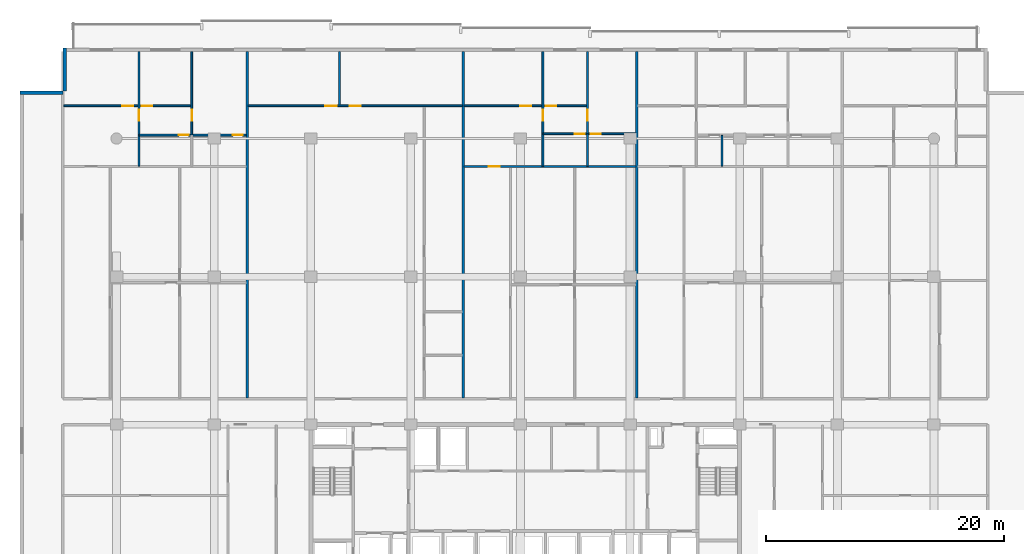
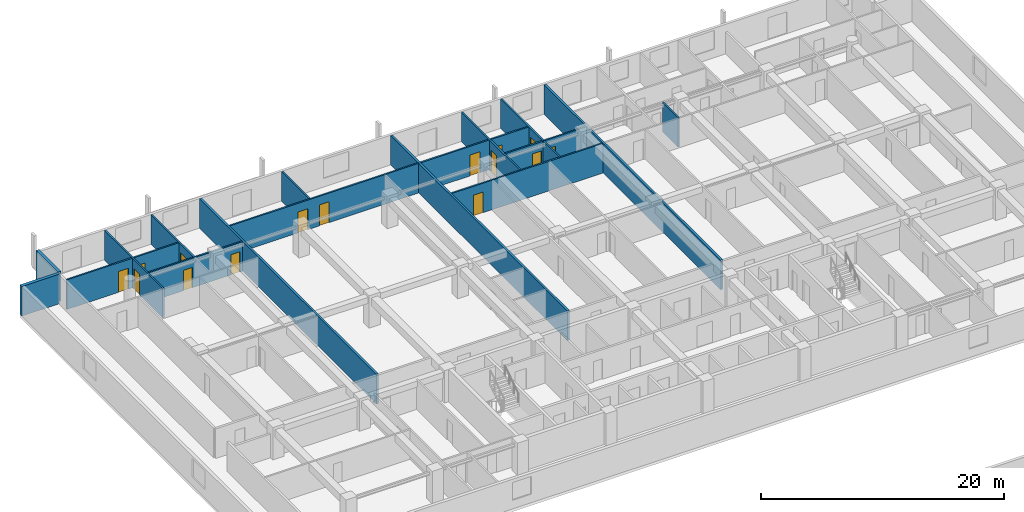
# One storey, part 14 of 23: 18 walls, 15 doors, 15 openings.
"""IFC4 building model written with IfcOpenShell, lengths in metres."""

from ifc_helpers import new_model, si_unit, direction, frame, frame_2d, origin, place, context, subcontext, project, spatial, rectangle, extrude, material, layer, layer_set, type_object, element, fill, save


model = new_model("IFC4")

# Units and contexts
model_context = context("Model", 3, precision=1e-05, world=origin(), true_north=direction((0.0, 1.0)))
body_context = subcontext(model_context, "Body", "Model", "MODEL_VIEW")
ifc_project = project(units=[si_unit("LENGTHUNIT", "METRE"), si_unit("AREAUNIT", "SQUARE_METRE"), si_unit("VOLUMEUNIT", "CUBIC_METRE"), si_unit("PLANEANGLEUNIT", "RADIAN"), si_unit("MASSUNIT", "GRAM", prefix="KILO")], contexts=[model_context])

# Site, building, storey
site_placement = place(None, origin())
site = spatial("IfcSite", under=ifc_project, at=site_placement, CompositionType="ELEMENT")
building_placement = place(site_placement, origin())
building = spatial("IfcBuilding", under=site, at=building_placement, Name="Korimba Cascade Residences", CompositionType="ELEMENT")
storey_placement = place(building_placement, frame((0.0, 0.0, 46.75)))
storey = spatial("IfcBuildingStorey", under=building, at=storey_placement, Name="L12", CompositionType="ELEMENT", Elevation=46.75)

# Walls
ifc_material_1 = material(Name="Precast concrete C40/50", Category="concrete")
ifc_layer_1 = layer(ifc_material_1, 0.300048828125)
ifc_layer_set_1 = layer_set([ifc_layer_1], Name="Precast concrete C40/50")
wall_type_1 = type_object("IfcWallType", Name="EW-STONE-300", PredefinedType="STANDARD", material=ifc_layer_set_1)
for number, where, z_axis, x_axis, name in (
    (1, (55.449951171875, 98.800048828125, 0.0), (0.0, 0.0, 1.0), (0.0, -1.0, 0.0), "L12 T1 Perimeter Stone Wall E07"),
    (2, (55.300048828125, 95.050048828125, 0.0), (0.0, 0.0, 1.0), (-1.0, 0.0, 0.0), "L12 T1 Perimeter Stone Wall E08"),
):
    element("IfcWall", number, at=place(storey_placement, frame(where, z_axis=z_axis, x_axis=x_axis)), inside=storey, type_object=wall_type_1, Name=name, PredefinedType="STANDARD", context=body_context, shape_type="SweptSolid", body=[
        extrude(rectangle(XDim=3.60009765625, YDim=0.300048828125, at=frame_2d((1.800048828125, 0.0))), origin(), (0.0, 0.0, 1.0), 2.969970703125),
    ])
ifc_layer_2 = layer(ifc_material_1, 0.199951171875)
ifc_layer_set_2 = layer_set([ifc_layer_2], Name="Precast concrete C40/50")
wall_type_2 = type_object("IfcWallType", Name="WAL-IT-200", PredefinedType="PARTITIONING", material=ifc_layer_set_2)
for number, where, z_axis, x_axis, name in (
    (3, (70.755126953125, 69.429931640625, 0.0), (0.0, 0.0, 1.0), (0.0, 1.0, 0.0), "L12 Partition Wall WAL-L12-T1-DEM-1"),
    (4, (88.894287109375, 69.429931640625, 0.0), (0.0, 0.0, 1.0), (0.0, 1.0, 0.0), "L12 Partition Wall WAL-L12-T1-DEM-2"),
    (5, (103.45751953125, 69.429931640625, 0.0), (0.0, 0.0, 1.0), (0.0, 1.0, 0.0), "L12 Partition Wall WAL-L12-T1-DEM-3"),
):
    element("IfcWall", number, at=place(storey_placement, frame(where, z_axis=z_axis, x_axis=x_axis)), inside=storey, type_object=wall_type_2, Name=name, PredefinedType="PARTITIONING", context=body_context, shape_type="SweptSolid", body=[
        extrude(rectangle(XDim=29.070068359375, YDim=0.199951171875, at=frame_2d((14.53515625, 0.0))), origin(), (0.0, 0.0, 1.0), 2.969970703125),
    ])

# Wall, opening, door
ifc_material_2 = material(Name="Insulated Acoustic Stud Partition", Category="gypsum")
ifc_layer_3 = layer(ifc_material_2, 0.14990234375)
ifc_layer_set_3 = layer_set([ifc_layer_3], Name="Insulated Acoustic Stud Partition")
wall_type_3 = type_object("IfcWallType", Name="WAL-PART-150", PredefinedType="PARTITIONING", material=ifc_layer_set_3)
wall_1_placement = place(storey_placement, frame((61.679931640625, 88.889892578125, 0.0), z_axis=(0.0, 0.0, 1.0), x_axis=(0.0, 1.0, 0.0)))
wall_1 = element("IfcWall", 6, at=wall_1_placement, inside=storey, type_object=wall_type_3, Name="L12 Partition Wall WAL-L12-T1-U01-V1", PredefinedType="PARTITIONING", context=body_context, shape_type="SweptSolid", body=[
    extrude(rectangle(XDim=9.610107421875, YDim=0.14990234375, at=frame_2d((4.80517578125, 0.0))), origin(), (0.0, 0.0, 1.0), 2.969970703125),
])
opening_1_placement = place(wall_1_placement, frame((3.820068359375, 0.0, 0.0)))
opening_1 = element("IfcOpeningElement", 7, at=opening_1_placement, cuts=wall_1, Name="Opening D-IN1", PredefinedType="OPENING", context=body_context, shape_type="SweptSolid", body=[
    extrude(rectangle(XDim=0.919921875, YDim=2.080078125, at=frame_2d((0.4599609375, 1.0400390625))), frame((0.0, 0.0849609375, 0.0), z_axis=(0.0, -1.0, 0.0), x_axis=(1.0, 0.0, 0.0)), (0.0, 0.0, 1.0), 0.169921875),
])
ifc_material_3 = material(Name="Acoustic Timber Living Door", Category="wood")
door_type_1 = type_object("IfcDoorType", Name="DR-INT-920", OperationType="NOTDEFINED", PredefinedType="DOOR", material=ifc_material_3)
door_1_placement = place(opening_1_placement, origin())
door_1 = element("IfcDoor", 8, at=door_1_placement, inside=storey, type_object=door_type_1, Name="L12-T1-U01 Hallway Door", OperationType="SINGLE_SWING_RIGHT", OverallHeight=2.080078125, OverallWidth=0.919921875, PredefinedType="DOOR", context=body_context, shape_type="SweptSolid", body=[
    extrude(rectangle(XDim=0.919921875, YDim=2.080078125, at=frame_2d((0.4599609375, 1.0400390625))), frame((0.0, 0.02490234375, 0.0), z_axis=(0.0, -1.0, 0.0), x_axis=(1.0, 0.0, 0.0)), (0.0, 0.0, 1.0), 0.050048828125),
])
fill(opening_1, door_1)

wall_2_placement = place(storey_placement, frame((66.1201171875, 91.510009765625, 0.0), z_axis=(0.0, 0.0, 1.0), x_axis=(0.0, 1.0, 0.0)))
wall_2 = element("IfcWall", 9, at=wall_2_placement, inside=storey, type_object=wall_type_3, Name="L12 Partition Wall WAL-L12-T1-U01-V2FULL", PredefinedType="PARTITIONING", context=body_context, shape_type="SweptSolid", body=[
    extrude(rectangle(XDim=6.989990234375, YDim=0.14990234375, at=frame_2d((3.4951171875, 0.0))), origin(), (0.0, 0.0, 1.0), 2.969970703125),
])
opening_2_placement = place(wall_2_placement, frame((1.199951171875, 0.0, 0.0)))
opening_2 = element("IfcOpeningElement", 10, at=opening_2_placement, cuts=wall_2, Name="Opening D-IN1", PredefinedType="OPENING", context=body_context, shape_type="SweptSolid", body=[
    extrude(rectangle(XDim=0.919921875, YDim=2.080078125, at=frame_2d((0.4599609375, 1.0400390625))), frame((0.0, 0.0849609375, 0.0), z_axis=(0.0, -1.0, 0.0), x_axis=(1.0, 0.0, 0.0)), (0.0, 0.0, 1.0), 0.169921875),
])
door_2_placement = place(opening_2_placement, origin())
door_2 = element("IfcDoor", 11, at=door_2_placement, inside=storey, type_object=door_type_1, Name="L12-T1-U01 Master Bedroom Door", OperationType="SINGLE_SWING_LEFT", OverallHeight=2.080078125, OverallWidth=0.919921875, PredefinedType="DOOR", context=body_context, shape_type="SweptSolid", body=[
    extrude(rectangle(XDim=0.919921875, YDim=2.080078125, at=frame_2d((0.4599609375, 1.0400390625))), frame((0.0, 0.02490234375, 0.0), z_axis=(0.0, -1.0, 0.0), x_axis=(1.0, 0.0, 0.0)), (0.0, 0.0, 1.0), 0.050048828125),
])
fill(opening_2, door_2)

# Wall, openings, doors
wall_3_placement = place(storey_placement, frame((61.719970703125, 91.489990234375, 0.0), z_axis=(0.0, 0.0, 1.0), x_axis=(1.0, 0.0, 0.0)))
wall_3 = element("IfcWall", 12, at=wall_3_placement, inside=storey, type_object=wall_type_3, Name="L12 Partition Wall WAL-L12-T1-U01-HWALL", PredefinedType="PARTITIONING", context=body_context, shape_type="SweptSolid", body=[
    extrude(rectangle(XDim=8.955322265625, YDim=0.14990234375, at=frame_2d((4.4775390625, 0.0))), origin(), (0.0, 0.0, 1.0), 2.969970703125),
])
opening_3_placement = place(wall_3_placement, frame((3.31005859375, 0.0, 0.0)))
opening_3 = element("IfcOpeningElement", 13, at=opening_3_placement, cuts=wall_3, Name="Opening D-BT1", PredefinedType="OPENING", context=body_context, shape_type="SweptSolid", body=[
    extrude(rectangle(XDim=0.840087890625, YDim=2.0400390625, at=frame_2d((0.419921875, 1.02001953125))), frame((0.0, 0.0849609375, 0.0), z_axis=(0.0, -1.0, 0.0), x_axis=(1.0, 0.0, 0.0)), (0.0, 0.0, 1.0), 0.169921875),
])
opening_4_placement = place(wall_3_placement, frame((7.8251953125, 0.0, 0.0)))
opening_4 = element("IfcOpeningElement", 14, at=opening_4_placement, cuts=wall_3, Name="Opening D-BT1", PredefinedType="OPENING", context=body_context, shape_type="SweptSolid", body=[
    extrude(rectangle(XDim=0.840087890625, YDim=2.0400390625, at=frame_2d((0.419921875, 1.02001953125))), frame((0.0, 0.0849609375, 0.0), z_axis=(0.0, -1.0, 0.0), x_axis=(1.0, 0.0, 0.0)), (0.0, 0.0, 1.0), 0.169921875),
])
ifc_material_4 = material(Name="Moisture-Resistant Bathroom Timber Door", Category="wood")
door_type_2 = type_object("IfcDoorType", Name="DR-INT-850", OperationType="NOTDEFINED", PredefinedType="DOOR", material=ifc_material_4)
door_3_placement = place(opening_3_placement, origin())
door_3 = element("IfcDoor", 15, at=door_3_placement, inside=storey, type_object=door_type_2, Name="L12-T1-U01 Family Bathroom Door", OperationType="SINGLE_SWING_RIGHT", OverallHeight=2.0400390625, OverallWidth=0.840087890625, PredefinedType="DOOR", context=body_context, shape_type="SweptSolid", body=[
    extrude(rectangle(XDim=0.840087890625, YDim=2.0400390625, at=frame_2d((0.419921875, 1.02001953125))), frame((0.0, 0.02490234375, 0.0), z_axis=(0.0, -1.0, 0.0), x_axis=(1.0, 0.0, 0.0)), (0.0, 0.0, 1.0), 0.050048828125),
])
fill(opening_3, door_3)
door_4_placement = place(opening_4_placement, origin())
door_4 = element("IfcDoor", 16, at=door_4_placement, inside=storey, type_object=door_type_2, Name="L12-T1-U01 En-Suite Door", OperationType="SINGLE_SWING_LEFT", OverallHeight=2.0400390625, OverallWidth=0.840087890625, PredefinedType="DOOR", context=body_context, shape_type="SweptSolid", body=[
    extrude(rectangle(XDim=0.840087890625, YDim=2.0400390625, at=frame_2d((0.419921875, 1.02001953125))), frame((0.0, 0.02490234375, 0.0), z_axis=(0.0, -1.0, 0.0), x_axis=(1.0, 0.0, 0.0)), (0.0, 0.0, 1.0), 0.050048828125),
])
fill(opening_4, door_4)

wall_4_placement = place(storey_placement, frame((55.3798828125, 93.949951171875, 0.0), z_axis=(0.0, 0.0, 1.0), x_axis=(1.0, 0.0, 0.0)))
wall_4 = element("IfcWall", 17, at=wall_4_placement, inside=storey, type_object=wall_type_3, Name="L12 Partition Wall WAL-L12-T1-U01-HZ", PredefinedType="PARTITIONING", context=body_context, shape_type="SweptSolid", body=[
    extrude(rectangle(XDim=10.740234375, YDim=0.14990234375, at=frame_2d((5.3701171875, 0.0))), origin(), (0.0, 0.0, 1.0), 2.969970703125),
])
opening_5_placement = place(wall_4_placement, frame((4.89990234375, 0.0, 0.0)))
opening_5 = element("IfcOpeningElement", 18, at=opening_5_placement, cuts=wall_4, Name="Opening D-IN0", PredefinedType="OPENING", context=body_context, shape_type="SweptSolid", body=[
    extrude(rectangle(XDim=0.93994140625, YDim=2.10009765625, at=frame_2d((0.469970703125, 1.050048828125))), frame((0.0, 0.0849609375, 0.0), z_axis=(0.0, -1.0, 0.0), x_axis=(1.0, 0.0, 0.0)), (0.0, 0.0, 1.0), 0.169921875),
])
opening_6_placement = place(wall_4_placement, frame((6.550048828125, 0.0, 0.0)))
opening_6 = element("IfcOpeningElement", 19, at=opening_6_placement, cuts=wall_4, Name="Opening D-IN2", PredefinedType="OPENING", context=body_context, shape_type="SweptSolid", body=[
    extrude(rectangle(XDim=0.8798828125, YDim=2.06005859375, at=frame_2d((0.43994140625, 1.030029296875))), frame((0.0, 0.0849609375, 0.0), z_axis=(0.0, -1.0, 0.0), x_axis=(1.0, 0.0, 0.0)), (0.0, 0.0, 1.0), 0.169921875),
])
ifc_material_5 = material(Name="Acoustic Timber Bedroom Door", Category="wood")
door_type_3 = type_object("IfcDoorType", Name="DR-INT-880", OperationType="NOTDEFINED", PredefinedType="DOOR", material=ifc_material_5)
door_5_placement = place(opening_6_placement, origin())
door_5 = element("IfcDoor", 20, at=door_5_placement, inside=storey, type_object=door_type_3, Name="L12-T1-U01 Bedroom 2 Door", OperationType="SINGLE_SWING_RIGHT", OverallHeight=2.06005859375, OverallWidth=0.8798828125, PredefinedType="DOOR", context=body_context, shape_type="SweptSolid", body=[
    extrude(rectangle(XDim=0.8798828125, YDim=2.06005859375, at=frame_2d((0.43994140625, 1.030029296875))), frame((0.0, 0.02490234375, 0.0), z_axis=(0.0, -1.0, 0.0), x_axis=(1.0, 0.0, 0.0)), (0.0, 0.0, 1.0), 0.050048828125),
])
fill(opening_6, door_5)
ifc_material_6 = material(Name="Acoustic Timber Living Archway Door", Category="wood")
door_type_4 = type_object("IfcDoorType", Name="DR-INT-950", OperationType="NOTDEFINED", PredefinedType="DOOR", material=ifc_material_6)
door_6_placement = place(opening_5_placement, origin())
door_6 = element("IfcDoor", 21, at=door_6_placement, inside=storey, type_object=door_type_4, Name="L12-T1-U01 Living Room Door", OperationType="SINGLE_SWING_LEFT", OverallHeight=2.10009765625, OverallWidth=0.93994140625, PredefinedType="DOOR", context=body_context, shape_type="SweptSolid", body=[
    extrude(rectangle(XDim=0.93994140625, YDim=2.10009765625, at=frame_2d((0.469970703125, 1.050048828125))), frame((0.0, 0.02490234375, 0.0), z_axis=(0.0, -1.0, 0.0), x_axis=(1.0, 0.0, 0.0)), (0.0, 0.0, 1.0), 0.050048828125),
])
fill(opening_5, door_6)

# Wall
wall_5_placement = place(storey_placement, frame((78.519775390625, 94.030029296875, 0.0), z_axis=(0.0, 0.0, 1.0), x_axis=(0.0, 1.0, 0.0)))
element("IfcWall", 22, at=wall_5_placement, inside=storey, type_object=wall_type_3, Name="L12 Partition Wall WAL-L12-T1-U02-OUTV", PredefinedType="PARTITIONING", context=body_context, shape_type="SweptSolid", body=[
    extrude(rectangle(XDim=4.469970703125, YDim=0.14990234375, at=frame_2d((2.23486328125, 0.0))), origin(), (0.0, 0.0, 1.0), 2.969970703125),
])

# Wall, openings, doors
wall_6_placement = place(storey_placement, frame((70.835205078125, 93.949951171875, 0.0), z_axis=(0.0, 0.0, 1.0), x_axis=(1.0, 0.0, 0.0)))
wall_6 = element("IfcWall", 23, at=wall_6_placement, inside=storey, type_object=wall_type_3, Name="L12 Partition Wall WAL-L12-T1-U02-HZ", PredefinedType="PARTITIONING", context=body_context, shape_type="SweptSolid", body=[
    extrude(rectangle(XDim=17.97900390625, YDim=0.14990234375, at=frame_2d((8.989501953125, 0.0))), origin(), (0.0, 0.0, 1.0), 2.969970703125),
])
opening_7_placement = place(wall_6_placement, frame((6.49462890625, 0.0, 0.0)))
opening_7 = element("IfcOpeningElement", 24, at=opening_7_placement, cuts=wall_6, Name="Opening D-IN0", PredefinedType="OPENING", context=body_context, shape_type="SweptSolid", body=[
    extrude(rectangle(XDim=0.93994140625, YDim=2.10009765625, at=frame_2d((0.469970703125, 1.050048828125))), frame((0.0, 0.0849609375, 0.0), z_axis=(0.0, -1.0, 0.0), x_axis=(1.0, 0.0, 0.0)), (0.0, 0.0, 1.0), 0.169921875),
])
opening_8_placement = place(wall_6_placement, frame((8.51953125, 0.0, 0.0)))
opening_8 = element("IfcOpeningElement", 25, at=opening_8_placement, cuts=wall_6, Name="Opening D-IN0", PredefinedType="OPENING", context=body_context, shape_type="SweptSolid", body=[
    extrude(rectangle(XDim=0.93994140625, YDim=2.10009765625, at=frame_2d((0.469970703125, 1.050048828125))), frame((0.0, 0.0849609375, 0.0), z_axis=(0.0, -1.0, 0.0), x_axis=(1.0, 0.0, 0.0)), (0.0, 0.0, 1.0), 0.169921875),
])
door_7_placement = place(opening_7_placement, origin())
door_7 = element("IfcDoor", 26, at=door_7_placement, inside=storey, type_object=door_type_4, Name="L12-T1-U02 Resident Boardroom Door", OperationType="SINGLE_SWING_RIGHT", OverallHeight=2.10009765625, OverallWidth=0.93994140625, PredefinedType="DOOR", context=body_context, shape_type="SweptSolid", body=[
    extrude(rectangle(XDim=0.93994140625, YDim=2.10009765625, at=frame_2d((0.469970703125, 1.050048828125))), frame((0.0, 0.02490234375, 0.0), z_axis=(0.0, -1.0, 0.0), x_axis=(1.0, 0.0, 0.0)), (0.0, 0.0, 1.0), 0.050048828125),
])
fill(opening_7, door_7)
door_8_placement = place(opening_8_placement, origin())
door_8 = element("IfcDoor", 27, at=door_8_placement, inside=storey, type_object=door_type_4, Name="L12-T1-U02 Executive Seminar Room Door", OperationType="SINGLE_SWING_LEFT", OverallHeight=2.10009765625, OverallWidth=0.93994140625, PredefinedType="DOOR", context=body_context, shape_type="SweptSolid", body=[
    extrude(rectangle(XDim=0.93994140625, YDim=2.10009765625, at=frame_2d((0.469970703125, 1.050048828125))), frame((0.0, 0.02490234375, 0.0), z_axis=(0.0, -1.0, 0.0), x_axis=(1.0, 0.0, 0.0)), (0.0, 0.0, 1.0), 0.050048828125),
])
fill(opening_8, door_8)

# Wall, opening, door
wall_7_placement = place(storey_placement, frame((95.580078125, 88.889892578125, 0.0), z_axis=(0.0, 0.0, 1.0), x_axis=(0.0, 1.0, 0.0)))
wall_7 = element("IfcWall", 28, at=wall_7_placement, inside=storey, type_object=wall_type_3, Name="L12 Partition Wall WAL-L12-T1-U03-V1", PredefinedType="PARTITIONING", context=body_context, shape_type="SweptSolid", body=[
    extrude(rectangle(XDim=9.610107421875, YDim=0.14990234375, at=frame_2d((4.80517578125, 0.0))), origin(), (0.0, 0.0, 1.0), 2.969970703125),
])
opening_9_placement = place(wall_7_placement, frame((3.820068359375, 0.0, 0.0)))
opening_9 = element("IfcOpeningElement", 29, at=opening_9_placement, cuts=wall_7, Name="Opening D-IN1", PredefinedType="OPENING", context=body_context, shape_type="SweptSolid", body=[
    extrude(rectangle(XDim=0.919921875, YDim=2.080078125, at=frame_2d((0.4599609375, 1.0400390625))), frame((0.0, 0.0849609375, 0.0), z_axis=(0.0, -1.0, 0.0), x_axis=(1.0, 0.0, 0.0)), (0.0, 0.0, 1.0), 0.169921875),
])
door_9_placement = place(opening_9_placement, origin())
door_9 = element("IfcDoor", 30, at=door_9_placement, inside=storey, type_object=door_type_1, Name="L12-T1-U03 Hallway Door", OperationType="SINGLE_SWING_RIGHT", OverallHeight=2.080078125, OverallWidth=0.919921875, PredefinedType="DOOR", context=body_context, shape_type="SweptSolid", body=[
    extrude(rectangle(XDim=0.919921875, YDim=2.080078125, at=frame_2d((0.4599609375, 1.0400390625))), frame((0.0, 0.02490234375, 0.0), z_axis=(0.0, -1.0, 0.0), x_axis=(1.0, 0.0, 0.0)), (0.0, 0.0, 1.0), 0.050048828125),
])
fill(opening_9, door_9)

# Wall
wall_8_placement = place(storey_placement, frame((99.326904296875, 88.889892578125, 0.0), z_axis=(0.0, 0.0, 1.0), x_axis=(0.0, 1.0, 0.0)))
element("IfcWall", 31, at=wall_8_placement, inside=storey, type_object=wall_type_3, Name="L12 Partition Wall WAL-L12-T1-U03-VBATH", PredefinedType="PARTITIONING", context=body_context, shape_type="SweptSolid", body=[
    extrude(rectangle(XDim=2.690185546875, YDim=0.14990234375, at=frame_2d((1.34521484375, 0.0))), origin(), (0.0, 0.0, 1.0), 2.969970703125),
])

# Wall, opening, door
wall_9_placement = place(storey_placement, frame((99.326904296875, 91.6201171875, 0.0), z_axis=(0.0, 0.0, 1.0), x_axis=(0.0, 1.0, 0.0)))
wall_9 = element("IfcWall", 32, at=wall_9_placement, inside=storey, type_object=wall_type_3, Name="L12 Partition Wall WAL-L12-T1-U03-V2FULL", PredefinedType="PARTITIONING", context=body_context, shape_type="SweptSolid", body=[
    extrude(rectangle(XDim=6.8798828125, YDim=0.14990234375, at=frame_2d((3.43994140625, 0.0))), origin(), (0.0, 0.0, 1.0), 2.969970703125),
])
opening_10_placement = place(wall_9_placement, frame((1.090087890625, 0.0, 0.0)))
opening_10 = element("IfcOpeningElement", 33, at=opening_10_placement, cuts=wall_9, Name="Opening D-IN1", PredefinedType="OPENING", context=body_context, shape_type="SweptSolid", body=[
    extrude(rectangle(XDim=0.919921875, YDim=2.080078125, at=frame_2d((0.4599609375, 1.0400390625))), frame((0.0, 0.0849609375, 0.0), z_axis=(0.0, -1.0, 0.0), x_axis=(1.0, 0.0, 0.0)), (0.0, 0.0, 1.0), 0.169921875),
])
door_10_placement = place(opening_10_placement, origin())
door_10 = element("IfcDoor", 34, at=door_10_placement, inside=storey, type_object=door_type_1, Name="L12-T1-U03 Master Bedroom Door", OperationType="SINGLE_SWING_LEFT", OverallHeight=2.080078125, OverallWidth=0.919921875, PredefinedType="DOOR", context=body_context, shape_type="SweptSolid", body=[
    extrude(rectangle(XDim=0.919921875, YDim=2.080078125, at=frame_2d((0.4599609375, 1.0400390625))), frame((0.0, 0.02490234375, 0.0), z_axis=(0.0, -1.0, 0.0), x_axis=(1.0, 0.0, 0.0)), (0.0, 0.0, 1.0), 0.050048828125),
])
fill(opening_10, door_10)

# Wall, openings, doors
wall_10_placement = place(storey_placement, frame((95.6201171875, 91.60009765625, 0.0), z_axis=(0.0, 0.0, 1.0), x_axis=(1.0, 0.0, 0.0)))
wall_10 = element("IfcWall", 35, at=wall_10_placement, inside=storey, type_object=wall_type_3, Name="L12 Partition Wall WAL-L12-T1-U03-HWALL", PredefinedType="PARTITIONING", context=body_context, shape_type="SweptSolid", body=[
    extrude(rectangle(XDim=7.75732421875, YDim=0.14990234375, at=frame_2d((3.878662109375, 0.0))), origin(), (0.0, 0.0, 1.0), 2.969970703125),
])
opening_11_placement = place(wall_10_placement, frame((2.616943359375, 0.0, 0.0)))
opening_11 = element("IfcOpeningElement", 36, at=opening_11_placement, cuts=wall_10, Name="Opening D-BT1", PredefinedType="OPENING", context=body_context, shape_type="SweptSolid", body=[
    extrude(rectangle(XDim=0.840087890625, YDim=2.0400390625, at=frame_2d((0.419921875, 1.02001953125))), frame((0.0, 0.0849609375, 0.0), z_axis=(0.0, -1.0, 0.0), x_axis=(1.0, 0.0, 0.0)), (0.0, 0.0, 1.0), 0.169921875),
])
opening_12_placement = place(wall_10_placement, frame((3.95703125, 0.0, 0.0)))
opening_12 = element("IfcOpeningElement", 37, at=opening_12_placement, cuts=wall_10, Name="Opening D-BT1", PredefinedType="OPENING", context=body_context, shape_type="SweptSolid", body=[
    extrude(rectangle(XDim=0.840087890625, YDim=2.0400390625, at=frame_2d((0.419921875, 1.02001953125))), frame((0.0, 0.0849609375, 0.0), z_axis=(0.0, -1.0, 0.0), x_axis=(1.0, 0.0, 0.0)), (0.0, 0.0, 1.0), 0.169921875),
])
door_11_placement = place(opening_11_placement, origin())
door_11 = element("IfcDoor", 38, at=door_11_placement, inside=storey, type_object=door_type_2, Name="L12-T1-U03 Family Bathroom Door", OperationType="SINGLE_SWING_RIGHT", OverallHeight=2.0400390625, OverallWidth=0.840087890625, PredefinedType="DOOR", context=body_context, shape_type="SweptSolid", body=[
    extrude(rectangle(XDim=0.840087890625, YDim=2.0400390625, at=frame_2d((0.419921875, 1.02001953125))), frame((0.0, 0.02490234375, 0.0), z_axis=(0.0, -1.0, 0.0), x_axis=(1.0, 0.0, 0.0)), (0.0, 0.0, 1.0), 0.050048828125),
])
fill(opening_11, door_11)
door_12_placement = place(opening_12_placement, origin())
door_12 = element("IfcDoor", 39, at=door_12_placement, inside=storey, type_object=door_type_2, Name="L12-T1-U03 En-Suite Door", OperationType="SINGLE_SWING_LEFT", OverallHeight=2.0400390625, OverallWidth=0.840087890625, PredefinedType="DOOR", context=body_context, shape_type="SweptSolid", body=[
    extrude(rectangle(XDim=0.840087890625, YDim=2.0400390625, at=frame_2d((0.419921875, 1.02001953125))), frame((0.0, 0.02490234375, 0.0), z_axis=(0.0, -1.0, 0.0), x_axis=(1.0, 0.0, 0.0)), (0.0, 0.0, 1.0), 0.050048828125),
])
fill(opening_12, door_12)

# Wall, opening, door
wall_11_placement = place(storey_placement, frame((88.974365234375, 88.85009765625, 0.0), z_axis=(0.0, 0.0, 1.0), x_axis=(1.0, 0.0, 0.0)))
wall_11 = element("IfcWall", 40, at=wall_11_placement, inside=storey, type_object=wall_type_3, Name="L12 Partition Wall WAL-L12-T1-U03-MW", PredefinedType="PARTITIONING", context=body_context, shape_type="SweptSolid", body=[
    extrude(rectangle(XDim=14.403076171875, YDim=0.14990234375, at=frame_2d((7.20166015625, 0.0))), origin(), (0.0, 0.0, 1.0), 2.969970703125),
])
opening_13_placement = place(wall_11_placement, frame((2.077880859375, 0.0, 0.0)))
opening_13 = element("IfcOpeningElement", 41, at=opening_13_placement, cuts=wall_11, Name="Opening D-IN1", PredefinedType="OPENING", context=body_context, shape_type="SweptSolid", body=[
    extrude(rectangle(XDim=0.919921875, YDim=2.080078125, at=frame_2d((0.4599609375, 1.0400390625))), frame((0.0, 0.0849609375, 0.0), z_axis=(0.0, -1.0, 0.0), x_axis=(1.0, 0.0, 0.0)), (0.0, 0.0, 1.0), 0.169921875),
])
door_13_placement = place(opening_13_placement, origin())
door_13 = element("IfcDoor", 42, at=door_13_placement, inside=storey, type_object=door_type_1, Name="L12-T1-U03 Kitchen Door", OperationType="SINGLE_SWING_RIGHT", OverallHeight=2.080078125, OverallWidth=0.919921875, PredefinedType="DOOR", context=body_context, shape_type="SweptSolid", body=[
    extrude(rectangle(XDim=0.919921875, YDim=2.080078125, at=frame_2d((0.4599609375, 1.0400390625))), frame((0.0, 0.02490234375, 0.0), z_axis=(0.0, -1.0, 0.0), x_axis=(1.0, 0.0, 0.0)), (0.0, 0.0, 1.0), 0.050048828125),
])
fill(opening_13, door_13)

# Wall, openings, doors
wall_12_placement = place(storey_placement, frame((88.974365234375, 93.949951171875, 0.0), z_axis=(0.0, 0.0, 1.0), x_axis=(1.0, 0.0, 0.0)))
wall_12 = element("IfcWall", 43, at=wall_12_placement, inside=storey, type_object=wall_type_3, Name="L12 Partition Wall WAL-L12-T1-U03-HZ", PredefinedType="PARTITIONING", context=body_context, shape_type="SweptSolid", body=[
    extrude(rectangle(XDim=10.3525390625, YDim=0.14990234375, at=frame_2d((5.17626953125, 0.0))), origin(), (0.0, 0.0, 1.0), 2.969970703125),
])
opening_14_placement = place(wall_12_placement, frame((4.706298828125, 0.0, 0.0)))
opening_14 = element("IfcOpeningElement", 44, at=opening_14_placement, cuts=wall_12, Name="Opening D-IN0", PredefinedType="OPENING", context=body_context, shape_type="SweptSolid", body=[
    extrude(rectangle(XDim=0.93994140625, YDim=2.10009765625, at=frame_2d((0.469970703125, 1.050048828125))), frame((0.0, 0.0849609375, 0.0), z_axis=(0.0, -1.0, 0.0), x_axis=(1.0, 0.0, 0.0)), (0.0, 0.0, 1.0), 0.169921875),
])
opening_15_placement = place(wall_12_placement, frame((6.855712890625, 0.0, 0.0)))
opening_15 = element("IfcOpeningElement", 45, at=opening_15_placement, cuts=wall_12, Name="Opening D-IN2", PredefinedType="OPENING", context=body_context, shape_type="SweptSolid", body=[
    extrude(rectangle(XDim=0.8798828125, YDim=2.06005859375, at=frame_2d((0.43994140625, 1.030029296875))), frame((0.0, 0.0849609375, 0.0), z_axis=(0.0, -1.0, 0.0), x_axis=(1.0, 0.0, 0.0)), (0.0, 0.0, 1.0), 0.169921875),
])
door_14_placement = place(opening_15_placement, origin())
door_14 = element("IfcDoor", 46, at=door_14_placement, inside=storey, type_object=door_type_3, Name="L12-T1-U03 Bedroom 2 Door", OperationType="SINGLE_SWING_RIGHT", OverallHeight=2.06005859375, OverallWidth=0.8798828125, PredefinedType="DOOR", context=body_context, shape_type="SweptSolid", body=[
    extrude(rectangle(XDim=0.8798828125, YDim=2.06005859375, at=frame_2d((0.43994140625, 1.030029296875))), frame((0.0, 0.02490234375, 0.0), z_axis=(0.0, -1.0, 0.0), x_axis=(1.0, 0.0, 0.0)), (0.0, 0.0, 1.0), 0.050048828125),
])
fill(opening_15, door_14)
door_15_placement = place(opening_14_placement, origin())
door_15 = element("IfcDoor", 47, at=door_15_placement, inside=storey, type_object=door_type_4, Name="L12-T1-U03 Living Room Door", OperationType="SINGLE_SWING_LEFT", OverallHeight=2.10009765625, OverallWidth=0.93994140625, PredefinedType="DOOR", context=body_context, shape_type="SweptSolid", body=[
    extrude(rectangle(XDim=0.93994140625, YDim=2.10009765625, at=frame_2d((0.469970703125, 1.050048828125))), frame((0.0, 0.02490234375, 0.0), z_axis=(0.0, -1.0, 0.0), x_axis=(1.0, 0.0, 0.0)), (0.0, 0.0, 1.0), 0.050048828125),
])
fill(opening_14, door_15)

# Wall
wall_13_placement = place(storey_placement, frame((110.607421875, 88.889892578125, 0.0), z_axis=(0.0, 0.0, 1.0), x_axis=(0.0, 1.0, 0.0)))
element("IfcWall", 48, at=wall_13_placement, inside=storey, type_object=wall_type_3, Name="L12 Partition Wall WAL-L12-T1-U04-VDRS", PredefinedType="PARTITIONING", context=body_context, shape_type="SweptSolid", body=[
    extrude(rectangle(XDim=2.580078125, YDim=0.14990234375, at=frame_2d((1.2900390625, 0.0))), origin(), (0.0, 0.0, 1.0), 2.969970703125),
])

save(model, "model.ifc")
